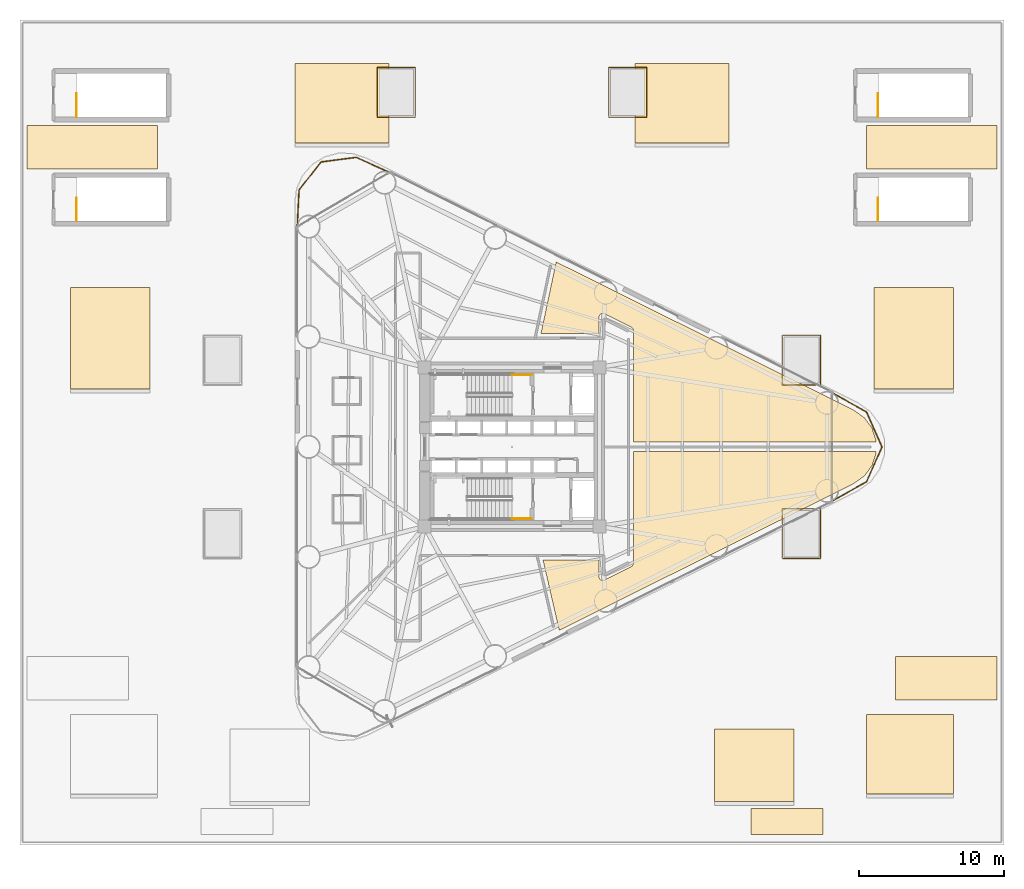
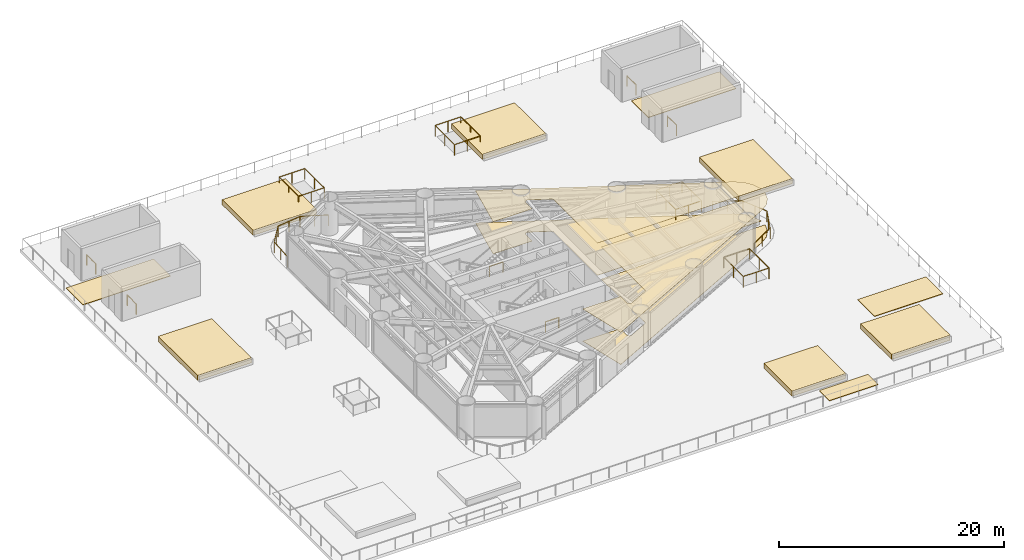
# One storey, part 13 of 13: 14 coverings, 12 railings.
"""IFC4 building model written with IfcOpenShell, lengths in metres."""

from ifc_helpers import new_model, si_unit, direction, frame, origin, origin_2d, place, context, subcontext, project, spatial, polyline, rectangle, outline, extrude, material, layer, layer_set, type_object, element, save


model = new_model("IFC4")

# Units and contexts
model_context = context("Model", 3, precision=1e-05, world=origin(), true_north=direction((0.0, 1.0)))
body_context = subcontext(model_context, "Body", "Model", "MODEL_VIEW")
ifc_project = project(units=[si_unit("LENGTHUNIT", "METRE"), si_unit("AREAUNIT", "SQUARE_METRE"), si_unit("VOLUMEUNIT", "CUBIC_METRE"), si_unit("PLANEANGLEUNIT", "RADIAN"), si_unit("MASSUNIT", "GRAM", prefix="KILO")], contexts=[model_context])

# Site, building, storey
site_placement = place(None, origin())
site = spatial("IfcSite", under=ifc_project, at=site_placement, CompositionType="ELEMENT")
building_placement = place(site_placement, origin())
building = spatial("IfcBuilding", under=site, at=building_placement, Name="Yunling Apex Tower", CompositionType="ELEMENT")
storey_placement = place(building_placement, frame((0.0, 0.0, 20.10009765625)))
storey = spatial("IfcBuildingStorey", under=building, at=storey_placement, Name="L06", CompositionType="ELEMENT", Elevation=20.10009765625)

# Coverings
ifc_material_1 = material(Name="Acoustic mineral fibre ceiling")
ifc_layer_1 = layer(ifc_material_1, 0.02490234375)
ifc_layer_set_1 = layer_set([ifc_layer_1], Name="Acoustic mineral fibre ceiling")
covering_type_1 = type_object("IfcCoveringType", Name="CV-CLG-1", PredefinedType="CEILING", material=ifc_layer_set_1)
covering_1_placement = place(storey_placement, frame((0.0, 0.0, 3.489990234375)))
element("IfcCovering", 1, at=covering_1_placement, inside=storey, type_object=covering_type_1, Name="CV-CL-SP-L06-R03", PredefinedType="CEILING", context=body_context, shape_type="SweptSolid", body=[
    extrude(outline(polyline([(25.160888671875, -0.330078125), (25.160888671875, -0.4453125), (24.88330078125, -1.291748046875), (24.35595703125, -2.009521484375), (23.59375, -2.5537109375), (3.26416015625, -12.672119140625), (2.146484375, -7.830078125), (6.02001953125, -7.830078125), (6.02001953125, -8.979248046875), (6.020751953125, -9.001708984375), (6.025146484375, -9.0263671875), (6.029541015625, -9.044921875), (6.037353515625, -9.06787109375), (6.048583984375, -9.09228515625), (6.060546875, -9.1123046875), (6.076416015625, -9.134521484375), (6.093017578125, -9.152099609375), (6.106689453125, -9.1650390625), (6.128173828125, -9.181884765625), (6.149658203125, -9.194580078125), (6.17041015625, -9.205078125), (6.1923828125, -9.213134765625), (6.2138671875, -9.219482421875), (6.239501953125, -9.22412109375), (6.265380859375, -9.225830078125), (6.291015625, -9.224853515625), (6.3125, -9.221923828125), (6.335205078125, -9.21728515625), (6.3603515625, -9.208984375), (6.377197265625, -9.201416015625), (8.24755859375, -8.2705078125), (8.262939453125, -8.26171875), (8.282958984375, -8.248046875), (8.304931640625, -8.22900390625), (8.320556640625, -8.211669921875), (8.335205078125, -8.193115234375), (8.349609375, -8.169921875), (8.36083984375, -8.146484375), (8.368896484375, -8.124267578125), (8.37548828125, -8.098876953125), (8.37890625, -8.07470703125), (8.3798828125, -8.056884765625), (8.3798828125, -0.330078125), (25.160888671875, -0.330078125)])), origin(), (0.0, 0.0, 1.0), 0.02490234375),
])
covering_2_placement = place(storey_placement, frame((0.0, 0.0, 3.489990234375)))
element("IfcCovering", 2, at=covering_2_placement, inside=storey, type_object=covering_type_1, Name="CV-CL-SP-L06-R04", PredefinedType="CEILING", context=body_context, shape_type="SweptSolid", body=[
    extrude(outline(polyline([(3.05322265625, 12.777099609375), (23.59375, 2.5537109375), (24.35595703125, 2.009521484375), (24.88330078125, 1.291748046875), (25.160888671875, 0.4453125), (25.160888671875, 0.330078125), (8.3798828125, 0.330078125), (8.3798828125, 8.056884765625), (8.37890625, 8.07470703125), (8.37548828125, 8.098876953125), (8.368896484375, 8.124267578125), (8.36083984375, 8.146484375), (8.349609375, 8.169921875), (8.335205078125, 8.193115234375), (8.320556640625, 8.211669921875), (8.304931640625, 8.22900390625), (8.282958984375, 8.248046875), (8.262939453125, 8.26171875), (8.24755859375, 8.2705078125), (6.377197265625, 9.201416015625), (6.3603515625, 9.208984375), (6.335205078125, 9.21728515625), (6.3125, 9.221923828125), (6.291015625, 9.224853515625), (6.265380859375, 9.225830078125), (6.239501953125, 9.22412109375), (6.2138671875, 9.219482421875), (6.1923828125, 9.213134765625), (6.17041015625, 9.205078125), (6.149658203125, 9.194580078125), (6.128173828125, 9.181884765625), (6.106689453125, 9.1650390625), (6.093017578125, 9.152099609375), (6.076416015625, 9.134521484375), (6.060546875, 9.1123046875), (6.048583984375, 9.09228515625), (6.037353515625, 9.06787109375), (6.029541015625, 9.044921875), (6.025146484375, 9.0263671875), (6.020751953125, 9.001708984375), (6.02001953125, 8.979248046875), (6.02001953125, 7.830078125), (2.001708984375, 7.830078125), (3.05322265625, 12.777099609375)])), origin(), (0.0, 0.0, 1.0), 0.02490234375),
])
ifc_material_2 = material(Name="Polished granite stone", Category="masonry")
ifc_layer_2 = layer(ifc_material_2, 0.030029296875)
ifc_layer_set_2 = layer_set([ifc_layer_2], Name="Polished granite stone")
covering_type_2 = type_object("IfcCoveringType", Name="CV-FLR-1", PredefinedType="FLOORING", material=ifc_layer_set_2)
covering_3_placement = place(storey_placement, origin())
element("IfcCovering", 3, at=covering_3_placement, inside=storey, type_object=covering_type_2, Name="CV-FL-SP-L06-R03", PredefinedType="FLOORING", context=body_context, shape_type="SweptSolid", body=[
    extrude(outline(polyline([(25.160888671875, -0.330078125), (25.160888671875, -0.4453125), (24.88330078125, -1.291748046875), (24.35595703125, -2.009521484375), (23.59375, -2.5537109375), (3.26416015625, -12.672119140625), (2.146484375, -7.830078125), (6.02001953125, -7.830078125), (6.02001953125, -8.979248046875), (6.020751953125, -9.001708984375), (6.025146484375, -9.0263671875), (6.029541015625, -9.044921875), (6.037353515625, -9.06787109375), (6.048583984375, -9.09228515625), (6.060546875, -9.1123046875), (6.076416015625, -9.134521484375), (6.093017578125, -9.152099609375), (6.106689453125, -9.1650390625), (6.128173828125, -9.181884765625), (6.149658203125, -9.194580078125), (6.17041015625, -9.205078125), (6.1923828125, -9.213134765625), (6.2138671875, -9.219482421875), (6.239501953125, -9.22412109375), (6.265380859375, -9.225830078125), (6.291015625, -9.224853515625), (6.3125, -9.221923828125), (6.335205078125, -9.21728515625), (6.3603515625, -9.208984375), (6.377197265625, -9.201416015625), (8.24755859375, -8.2705078125), (8.262939453125, -8.26171875), (8.282958984375, -8.248046875), (8.304931640625, -8.22900390625), (8.320556640625, -8.211669921875), (8.335205078125, -8.193115234375), (8.349609375, -8.169921875), (8.36083984375, -8.146484375), (8.368896484375, -8.124267578125), (8.37548828125, -8.098876953125), (8.37890625, -8.07470703125), (8.3798828125, -8.056884765625), (8.3798828125, -0.330078125), (25.160888671875, -0.330078125)])), origin(), (0.0, 0.0, 1.0), 0.02978515625),
])
covering_4_placement = place(storey_placement, origin())
element("IfcCovering", 4, at=covering_4_placement, inside=storey, type_object=covering_type_2, Name="CV-FL-SP-L06-R04", PredefinedType="FLOORING", context=body_context, shape_type="SweptSolid", body=[
    extrude(outline(polyline([(3.05322265625, 12.777099609375), (23.59375, 2.5537109375), (24.35595703125, 2.009521484375), (24.88330078125, 1.291748046875), (25.160888671875, 0.4453125), (25.160888671875, 0.330078125), (8.3798828125, 0.330078125), (8.3798828125, 8.056884765625), (8.37890625, 8.07470703125), (8.37548828125, 8.098876953125), (8.368896484375, 8.124267578125), (8.36083984375, 8.146484375), (8.349609375, 8.169921875), (8.335205078125, 8.193115234375), (8.320556640625, 8.211669921875), (8.304931640625, 8.22900390625), (8.282958984375, 8.248046875), (8.262939453125, 8.26171875), (8.24755859375, 8.2705078125), (6.377197265625, 9.201416015625), (6.3603515625, 9.208984375), (6.335205078125, 9.21728515625), (6.3125, 9.221923828125), (6.291015625, 9.224853515625), (6.265380859375, 9.225830078125), (6.239501953125, 9.22412109375), (6.2138671875, 9.219482421875), (6.1923828125, 9.213134765625), (6.17041015625, 9.205078125), (6.149658203125, 9.194580078125), (6.128173828125, 9.181884765625), (6.106689453125, 9.1650390625), (6.093017578125, 9.152099609375), (6.076416015625, 9.134521484375), (6.060546875, 9.1123046875), (6.048583984375, 9.09228515625), (6.037353515625, 9.06787109375), (6.029541015625, 9.044921875), (6.025146484375, 9.0263671875), (6.020751953125, 9.001708984375), (6.02001953125, 8.979248046875), (6.02001953125, 7.830078125), (2.001708984375, 7.830078125), (3.05322265625, 12.777099609375)])), origin(), (0.0, 0.0, 1.0), 0.02978515625),
])
ifc_material_3 = material(Name="Vegetated roof soil substrate")
ifc_layer_3 = layer(ifc_material_3, 0.550048828125)
ifc_layer_set_3 = layer_set([ifc_layer_3], Name="Vegetated roof soil substrate")
covering_type_3 = type_object("IfcCoveringType", Name="CV-PLN-1", PredefinedType="FLOORING", material=ifc_layer_set_3)
covering_5_placement = place(storey_placement, origin())
element("IfcCovering", 5, at=covering_5_placement, inside=storey, type_object=covering_type_3, Name="CV-PLN-BED-02", PredefinedType="FLOORING", context=body_context, shape_type="SweptSolid", body=[
    extrude(outline(polyline([(24.5, -24.0), (30.5, -24.0), (30.5, -18.5), (24.5, -18.5), (24.5, -24.0)])), origin(), (0.0, 0.0, 1.0), 0.5498046875),
])
covering_6_placement = place(storey_placement, origin())
element("IfcCovering", 6, at=covering_6_placement, inside=storey, type_object=covering_type_3, Name="CV-PLN-BED-03", PredefinedType="FLOORING", context=body_context, shape_type="SweptSolid", body=[
    extrude(outline(polyline([(-30.5, 4.0), (-25.0, 4.0), (-25.0, 11.0), (-30.5, 11.0), (-30.5, 4.0)])), origin(), (0.0, 0.0, 1.0), 0.5498046875),
])
covering_7_placement = place(storey_placement, origin())
element("IfcCovering", 7, at=covering_7_placement, inside=storey, type_object=covering_type_3, Name="CV-PLN-BED-04", PredefinedType="FLOORING", context=body_context, shape_type="SweptSolid", body=[
    extrude(outline(polyline([(25.0, 4.0), (30.5, 4.0), (30.5, 11.0), (25.0, 11.0), (25.0, 4.0)])), origin(), (0.0, 0.0, 1.0), 0.5498046875),
])
covering_8_placement = place(storey_placement, origin())
element("IfcCovering", 8, at=covering_8_placement, inside=storey, type_object=covering_type_3, Name="CV-PLN-BED-06", PredefinedType="FLOORING", context=body_context, shape_type="SweptSolid", body=[
    extrude(outline(polyline([(14.0, -24.5), (19.5, -24.5), (19.5, -19.5), (14.0, -19.5), (14.0, -24.5)])), origin(), (0.0, 0.0, 1.0), 0.5498046875),
])
covering_9_placement = place(storey_placement, origin())
element("IfcCovering", 9, at=covering_9_placement, inside=storey, type_object=covering_type_3, Name="CV-PLN-BED-07", PredefinedType="FLOORING", context=body_context, shape_type="SweptSolid", body=[
    extrude(outline(polyline([(-15.0, 21.0), (-8.5, 21.0), (-8.5, 26.5), (-15.0, 26.5), (-15.0, 21.0)])), origin(), (0.0, 0.0, 1.0), 0.5498046875),
])
covering_10_placement = place(storey_placement, origin())
element("IfcCovering", 10, at=covering_10_placement, inside=storey, type_object=covering_type_3, Name="CV-PLN-BED-08", PredefinedType="FLOORING", context=body_context, shape_type="SweptSolid", body=[
    extrude(outline(polyline([(8.5, 21.0), (15.0, 21.0), (15.0, 26.5), (8.5, 26.5), (8.5, 21.0)])), origin(), (0.0, 0.0, 1.0), 0.5498046875),
])
ifc_material_4 = material(Name="Waterproof EPDM roof membrane")
ifc_layer_4 = layer(ifc_material_4, 0.06005859375)
ifc_layer_set_4 = layer_set([ifc_layer_4], Name="Waterproof EPDM roof membrane")
covering_type_4 = type_object("IfcCoveringType", Name="CV-ROF-1", PredefinedType="ROOFING", material=ifc_layer_set_4)
covering_11_placement = place(storey_placement, origin())
element("IfcCovering", 11, at=covering_11_placement, inside=storey, type_object=covering_type_4, Name="CV-ROF-POD-1", PredefinedType="ROOFING", context=body_context, shape_type="SweptSolid", body=[
    extrude(outline(polyline([(-33.5, 19.199951171875), (-24.5, 19.199951171875), (-24.5, 22.199951171875), (-33.5, 22.199951171875), (-33.5, 19.199951171875)])), origin(), (0.0, 0.0, 1.0), 0.059814453125),
])
covering_12_placement = place(storey_placement, origin())
element("IfcCovering", 12, at=covering_12_placement, inside=storey, type_object=covering_type_4, Name="CV-ROF-POD-2", PredefinedType="ROOFING", context=body_context, shape_type="SweptSolid", body=[
    extrude(outline(polyline([(24.5, 19.199951171875), (33.5, 19.199951171875), (33.5, 22.199951171875), (24.5, 22.199951171875), (24.5, 19.199951171875)])), origin(), (0.0, 0.0, 1.0), 0.059814453125),
])
covering_13_placement = place(storey_placement, origin())
element("IfcCovering", 13, at=covering_13_placement, inside=storey, type_object=covering_type_4, Name="CV-ROF-POD-4", PredefinedType="ROOFING", context=body_context, shape_type="SweptSolid", body=[
    extrude(outline(polyline([(26.5, -17.5), (33.5, -17.5), (33.5, -14.5), (26.5, -14.5), (26.5, -17.5)])), origin(), (0.0, 0.0, 1.0), 0.059814453125),
])
covering_14_placement = place(storey_placement, origin())
element("IfcCovering", 14, at=covering_14_placement, inside=storey, type_object=covering_type_4, Name="CV-ROF-POD-6", PredefinedType="ROOFING", context=body_context, shape_type="SweptSolid", body=[
    extrude(outline(polyline([(16.5, -26.800048828125), (21.5, -26.800048828125), (21.5, -25.0), (16.5, -25.0), (16.5, -26.800048828125)])), origin(), (0.0, 0.0, 1.0), 0.059814453125),
])

# Railings
ifc_material_5 = material(Name="Bronze anodised aluminium", Category="aluminium")
railing_type_1 = type_object("IfcRailingType", Name="RL-BAL-1200", PredefinedType="BALUSTRADE", material=ifc_material_5)
railing_1_placement = place(storey_placement, frame((18.679931640625, -7.719970703125, 0.0)))
element("IfcRailing", 15, at=railing_1_placement, inside=storey, type_object=railing_type_1, Name="RL-SK-POD-02", PredefinedType="BALUSTRADE", context=body_context, shape_type="SweptSolid", body=[
    extrude(rectangle(XDim=0.0439453125, YDim=0.0439453125, at=origin_2d()), origin(), (0.0, 0.0, 1.0), 1.199951171875),
    extrude(rectangle(XDim=0.0439453125, YDim=0.0439453125, at=origin_2d()), frame((2.64013671875, 0.0, 0.0)), (0.0, 0.0, 1.0), 1.199951171875),
    extrude(rectangle(XDim=0.050048828125, YDim=0.050048828125, at=origin_2d()), frame((0.038330078125, 0.0, 1.1748046875), z_axis=(1.0, 0.0, 0.0), x_axis=(0.0, 1.0, 0.0)), (0.0, 0.0, 1.0), 2.5634765625),
    extrude(rectangle(XDim=0.0439453125, YDim=0.0439453125, at=origin_2d()), frame((1.320068359375, 0.0, 0.0)), (0.0, 0.0, 1.0), 1.14599609375),
    extrude(rectangle(XDim=0.0439453125, YDim=0.0439453125, at=origin_2d()), frame((2.64013671875, 3.43994140625, 0.0)), (0.0, 0.0, 1.0), 1.199951171875),
    extrude(rectangle(XDim=0.050048828125, YDim=0.050048828125, at=origin_2d()), frame((2.64013671875, 0.038330078125, 1.1748046875), z_axis=(0.0, 1.0, 0.0), x_axis=(-1.0, 0.0, 0.0)), (0.0, 0.0, 1.0), 3.36328125),
    extrude(rectangle(XDim=0.0439453125, YDim=0.0439453125, at=origin_2d()), frame((2.64013671875, 1.719970703125, 0.0)), (0.0, 0.0, 1.0), 1.14599609375),
    extrude(rectangle(XDim=0.0439453125, YDim=0.0439453125, at=origin_2d()), frame((0.0, 3.43994140625, 0.0)), (0.0, 0.0, 1.0), 1.199951171875),
    extrude(rectangle(XDim=0.050048828125, YDim=0.050048828125, at=origin_2d()), frame((2.601806640625, 3.43994140625, 1.1748046875), z_axis=(-1.0, 0.0, 0.0), x_axis=(0.0, -1.0, 0.0)), (0.0, 0.0, 1.0), 2.5634765625),
    extrude(rectangle(XDim=0.0439453125, YDim=0.0439453125, at=origin_2d()), frame((1.320068359375, 3.43994140625, 0.0)), (0.0, 0.0, 1.0), 1.14599609375),
    extrude(rectangle(XDim=0.050048828125, YDim=0.050048828125, at=origin_2d()), frame((0.0, 3.401611328125, 1.1748046875), z_axis=(0.0, -1.0, 0.0), x_axis=(1.0, 0.0, 0.0)), (0.0, 0.0, 1.0), 3.36328125),
    extrude(rectangle(XDim=0.0439453125, YDim=0.0439453125, at=origin_2d()), frame((0.0, 1.719970703125, 0.0)), (0.0, 0.0, 1.0), 1.14599609375),
])
railing_2_placement = place(storey_placement, frame((18.679931640625, 4.280029296875, 0.0)))
element("IfcRailing", 16, at=railing_2_placement, inside=storey, type_object=railing_type_1, Name="RL-SK-POD-04", PredefinedType="BALUSTRADE", context=body_context, shape_type="SweptSolid", body=[
    extrude(rectangle(XDim=0.0439453125, YDim=0.0439453125, at=origin_2d()), origin(), (0.0, 0.0, 1.0), 1.199951171875),
    extrude(rectangle(XDim=0.0439453125, YDim=0.0439453125, at=origin_2d()), frame((2.64013671875, 0.0, 0.0)), (0.0, 0.0, 1.0), 1.199951171875),
    extrude(rectangle(XDim=0.050048828125, YDim=0.050048828125, at=origin_2d()), frame((0.038330078125, 0.0, 1.1748046875), z_axis=(1.0, 0.0, 0.0), x_axis=(0.0, 1.0, 0.0)), (0.0, 0.0, 1.0), 2.5634765625),
    extrude(rectangle(XDim=0.0439453125, YDim=0.0439453125, at=origin_2d()), frame((1.320068359375, 0.0, 0.0)), (0.0, 0.0, 1.0), 1.14599609375),
    extrude(rectangle(XDim=0.0439453125, YDim=0.0439453125, at=origin_2d()), frame((2.64013671875, 3.43994140625, 0.0)), (0.0, 0.0, 1.0), 1.199951171875),
    extrude(rectangle(XDim=0.050048828125, YDim=0.050048828125, at=origin_2d()), frame((2.64013671875, 0.038330078125, 1.1748046875), z_axis=(0.0, 1.0, 0.0), x_axis=(-1.0, 0.0, 0.0)), (0.0, 0.0, 1.0), 3.36328125),
    extrude(rectangle(XDim=0.0439453125, YDim=0.0439453125, at=origin_2d()), frame((2.64013671875, 1.719970703125, 0.0)), (0.0, 0.0, 1.0), 1.14599609375),
    extrude(rectangle(XDim=0.0439453125, YDim=0.0439453125, at=origin_2d()), frame((0.0, 3.43994140625, 0.0)), (0.0, 0.0, 1.0), 1.199951171875),
    extrude(rectangle(XDim=0.050048828125, YDim=0.050048828125, at=origin_2d()), frame((2.601806640625, 3.43994140625, 1.1748046875), z_axis=(-1.0, 0.0, 0.0), x_axis=(0.0, -1.0, 0.0)), (0.0, 0.0, 1.0), 2.5634765625),
    extrude(rectangle(XDim=0.0439453125, YDim=0.0439453125, at=origin_2d()), frame((1.320068359375, 3.43994140625, 0.0)), (0.0, 0.0, 1.0), 1.14599609375),
    extrude(rectangle(XDim=0.050048828125, YDim=0.050048828125, at=origin_2d()), frame((0.0, 3.401611328125, 1.1748046875), z_axis=(0.0, -1.0, 0.0), x_axis=(1.0, 0.0, 0.0)), (0.0, 0.0, 1.0), 3.36328125),
    extrude(rectangle(XDim=0.0439453125, YDim=0.0439453125, at=origin_2d()), frame((0.0, 1.719970703125, 0.0)), (0.0, 0.0, 1.0), 1.14599609375),
])
railing_3_placement = place(storey_placement, frame((-9.320068359375, 22.780029296875, 0.0)))
element("IfcRailing", 17, at=railing_3_placement, inside=storey, type_object=railing_type_1, Name="RL-SK-POD-05", PredefinedType="BALUSTRADE", context=body_context, shape_type="SweptSolid", body=[
    extrude(rectangle(XDim=0.0439453125, YDim=0.0439453125, at=origin_2d()), origin(), (0.0, 0.0, 1.0), 1.199951171875),
    extrude(rectangle(XDim=0.0439453125, YDim=0.0439453125, at=origin_2d()), frame((2.64013671875, 0.0, 0.0)), (0.0, 0.0, 1.0), 1.199951171875),
    extrude(rectangle(XDim=0.050048828125, YDim=0.050048828125, at=origin_2d()), frame((0.038330078125, 0.0, 1.1748046875), z_axis=(1.0, 0.0, 0.0), x_axis=(0.0, 1.0, 0.0)), (0.0, 0.0, 1.0), 2.5634765625),
    extrude(rectangle(XDim=0.0439453125, YDim=0.0439453125, at=origin_2d()), frame((1.320068359375, 0.0, 0.0)), (0.0, 0.0, 1.0), 1.14599609375),
    extrude(rectangle(XDim=0.0439453125, YDim=0.0439453125, at=origin_2d()), frame((2.64013671875, 3.43994140625, 0.0)), (0.0, 0.0, 1.0), 1.199951171875),
    extrude(rectangle(XDim=0.050048828125, YDim=0.050048828125, at=origin_2d()), frame((2.64013671875, 0.038330078125, 1.1748046875), z_axis=(0.0, 1.0, 0.0), x_axis=(-1.0, 0.0, 0.0)), (0.0, 0.0, 1.0), 3.36328125),
    extrude(rectangle(XDim=0.0439453125, YDim=0.0439453125, at=origin_2d()), frame((2.64013671875, 1.719970703125, 0.0)), (0.0, 0.0, 1.0), 1.14599609375),
    extrude(rectangle(XDim=0.0439453125, YDim=0.0439453125, at=origin_2d()), frame((0.0, 3.43994140625, 0.0)), (0.0, 0.0, 1.0), 1.199951171875),
    extrude(rectangle(XDim=0.050048828125, YDim=0.050048828125, at=origin_2d()), frame((2.601806640625, 3.43994140625, 1.1748046875), z_axis=(-1.0, 0.0, 0.0), x_axis=(0.0, -1.0, 0.0)), (0.0, 0.0, 1.0), 2.5634765625),
    extrude(rectangle(XDim=0.0439453125, YDim=0.0439453125, at=origin_2d()), frame((1.320068359375, 3.43994140625, 0.0)), (0.0, 0.0, 1.0), 1.14599609375),
    extrude(rectangle(XDim=0.050048828125, YDim=0.050048828125, at=origin_2d()), frame((0.0, 3.401611328125, 1.1748046875), z_axis=(0.0, -1.0, 0.0), x_axis=(1.0, 0.0, 0.0)), (0.0, 0.0, 1.0), 3.36328125),
    extrude(rectangle(XDim=0.0439453125, YDim=0.0439453125, at=origin_2d()), frame((0.0, 1.719970703125, 0.0)), (0.0, 0.0, 1.0), 1.14599609375),
])
railing_4_placement = place(storey_placement, frame((6.679931640625, 22.780029296875, 0.0)))
element("IfcRailing", 18, at=railing_4_placement, inside=storey, type_object=railing_type_1, Name="RL-SK-POD-06", PredefinedType="BALUSTRADE", context=body_context, shape_type="SweptSolid", body=[
    extrude(rectangle(XDim=0.0439453125, YDim=0.0439453125, at=origin_2d()), origin(), (0.0, 0.0, 1.0), 1.199951171875),
    extrude(rectangle(XDim=0.0439453125, YDim=0.0439453125, at=origin_2d()), frame((2.64013671875, 0.0, 0.0)), (0.0, 0.0, 1.0), 1.199951171875),
    extrude(rectangle(XDim=0.050048828125, YDim=0.050048828125, at=origin_2d()), frame((0.038330078125, 0.0, 1.1748046875), z_axis=(1.0, 0.0, 0.0), x_axis=(0.0, 1.0, 0.0)), (0.0, 0.0, 1.0), 2.5634765625),
    extrude(rectangle(XDim=0.0439453125, YDim=0.0439453125, at=origin_2d()), frame((1.320068359375, 0.0, 0.0)), (0.0, 0.0, 1.0), 1.14599609375),
    extrude(rectangle(XDim=0.0439453125, YDim=0.0439453125, at=origin_2d()), frame((2.64013671875, 3.43994140625, 0.0)), (0.0, 0.0, 1.0), 1.199951171875),
    extrude(rectangle(XDim=0.050048828125, YDim=0.050048828125, at=origin_2d()), frame((2.64013671875, 0.038330078125, 1.1748046875), z_axis=(0.0, 1.0, 0.0), x_axis=(-1.0, 0.0, 0.0)), (0.0, 0.0, 1.0), 3.36328125),
    extrude(rectangle(XDim=0.0439453125, YDim=0.0439453125, at=origin_2d()), frame((2.64013671875, 1.719970703125, 0.0)), (0.0, 0.0, 1.0), 1.14599609375),
    extrude(rectangle(XDim=0.0439453125, YDim=0.0439453125, at=origin_2d()), frame((0.0, 3.43994140625, 0.0)), (0.0, 0.0, 1.0), 1.199951171875),
    extrude(rectangle(XDim=0.050048828125, YDim=0.050048828125, at=origin_2d()), frame((2.601806640625, 3.43994140625, 1.1748046875), z_axis=(-1.0, 0.0, 0.0), x_axis=(0.0, -1.0, 0.0)), (0.0, 0.0, 1.0), 2.5634765625),
    extrude(rectangle(XDim=0.0439453125, YDim=0.0439453125, at=origin_2d()), frame((1.320068359375, 3.43994140625, 0.0)), (0.0, 0.0, 1.0), 1.14599609375),
    extrude(rectangle(XDim=0.050048828125, YDim=0.050048828125, at=origin_2d()), frame((0.0, 3.401611328125, 1.1748046875), z_axis=(0.0, -1.0, 0.0), x_axis=(1.0, 0.0, 0.0)), (0.0, 0.0, 1.0), 3.36328125),
    extrude(rectangle(XDim=0.0439453125, YDim=0.0439453125, at=origin_2d()), frame((0.0, 1.719970703125, 0.0)), (0.0, 0.0, 1.0), 1.14599609375),
])
railing_5_placement = place(storey_placement, frame((22.1181640625, 3.74609375, 0.0)))
element("IfcRailing", 19, at=railing_5_placement, inside=storey, type_object=railing_type_1, Name="RL-CRNSILL-L06-1", PredefinedType="BALUSTRADE", context=body_context, shape_type="SweptSolid", body=[
    extrude(rectangle(XDim=0.0439453125, YDim=0.0439453125, at=origin_2d()), origin(), (0.0, 0.0, 1.0), 1.199951171875),
    extrude(rectangle(XDim=0.0439453125, YDim=0.0439453125, at=origin_2d()), frame((2.380615234375, -1.3349609375, 0.0)), (0.0, 0.0, 1.0), 1.199951171875),
    extrude(rectangle(XDim=0.050048828125, YDim=0.050048828125, at=origin_2d()), frame((0.033447265625, -0.018798828125, 1.1748046875), z_axis=(0.872222158118, -0.48910991289, 0.0), x_axis=(0.48910991289, 0.872222158118, 0.0)), (0.0, 0.0, 1.0), 2.652587890625),
    extrude(rectangle(XDim=0.0439453125, YDim=0.0439453125, at=origin_2d()), frame((1.1904296875, -0.66748046875, 0.0)), (0.0, 0.0, 1.0), 1.14599609375),
    extrude(rectangle(XDim=0.0439453125, YDim=0.0439453125, at=origin_2d()), frame((3.45263671875, -3.74609375, 0.0)), (0.0, 0.0, 1.0), 1.199951171875),
    extrude(rectangle(XDim=0.050048828125, YDim=0.050048828125, at=origin_2d()), frame((2.396240234375, -1.369873046875, 1.1748046875), z_axis=(0.406267230745, -0.913754309004, 0.0), x_axis=(0.913754309004, 0.406267230745, 0.0)), (0.0, 0.0, 1.0), 2.56201171875),
    extrude(rectangle(XDim=0.0439453125, YDim=0.0439453125, at=origin_2d()), frame((2.91650390625, -2.54052734375, 0.0)), (0.0, 0.0, 1.0), 1.14599609375),
    extrude(rectangle(XDim=0.0439453125, YDim=0.0439453125, at=origin_2d()), frame((2.380615234375, -6.1572265625, 0.0)), (0.0, 0.0, 1.0), 1.199951171875),
    extrude(rectangle(XDim=0.050048828125, YDim=0.050048828125, at=origin_2d()), frame((3.43701171875, -3.781005859375, 1.1748046875), z_axis=(-0.406267230745, -0.913754309004, 0.0), x_axis=(0.913754309004, -0.406267230745, 0.0)), (0.0, 0.0, 1.0), 2.56201171875),
    extrude(rectangle(XDim=0.0439453125, YDim=0.0439453125, at=origin_2d()), frame((2.91650390625, -4.95166015625, 0.0)), (0.0, 0.0, 1.0), 1.14599609375),
    extrude(rectangle(XDim=0.0439453125, YDim=0.0439453125, at=origin_2d()), frame((0.0, -7.4921875, 0.0)), (0.0, 0.0, 1.0), 1.199951171875),
    extrude(rectangle(XDim=0.050048828125, YDim=0.050048828125, at=origin_2d()), frame((2.34716796875, -6.176025390625, 1.1748046875), z_axis=(-0.872222158118, -0.48910991289, 0.0), x_axis=(0.48910991289, -0.872222158118, 0.0)), (0.0, 0.0, 1.0), 2.652587890625),
    extrude(rectangle(XDim=0.0439453125, YDim=0.0439453125, at=origin_2d()), frame((1.1904296875, -6.82470703125, 0.0)), (0.0, 0.0, 1.0), 1.14599609375),
])
railing_6_placement = place(storey_placement, frame((-14.842041015625, 15.218994140625, 0.0)))
element("IfcRailing", 20, at=railing_6_placement, inside=storey, type_object=railing_type_1, Name="RL-CRNSILL-L06-2", PredefinedType="BALUSTRADE", context=body_context, shape_type="SweptSolid", body=[
    extrude(rectangle(XDim=0.0439453125, YDim=0.0439453125, at=origin_2d()), origin(), (0.0, 0.0, 1.0), 1.199951171875),
    extrude(rectangle(XDim=0.0439453125, YDim=0.0439453125, at=origin_2d()), frame((0.1240234375, 2.52783203125, 0.0)), (0.0, 0.0, 1.0), 1.199951171875),
    extrude(rectangle(XDim=0.050048828125, YDim=0.050048828125, at=origin_2d()), frame((0.001953125, 0.038330078125, 1.1748046875), z_axis=(0.049004218115, 0.998798571588, 0.0), x_axis=(-0.998798571588, 0.049004218115, 0.0)), (0.0, 0.0, 1.0), 2.4541015625),
    extrude(rectangle(XDim=0.0439453125, YDim=0.0439453125, at=origin_2d()), frame((0.06201171875, 1.263916015625, 0.0)), (0.0, 0.0, 1.0), 1.14599609375),
    extrude(rectangle(XDim=0.0439453125, YDim=0.0439453125, at=origin_2d()), frame((1.640625, 4.469482421875, 0.0)), (0.0, 0.0, 1.0), 1.199951171875),
    extrude(rectangle(XDim=0.050048828125, YDim=0.050048828125, at=origin_2d()), frame((0.147705078125, 2.55810546875, 1.1748046875), z_axis=(0.615565197226, 0.788085964832, 0.0), x_axis=(-0.788085964832, 0.615565197226, 0.0)), (0.0, 0.0, 1.0), 2.38720703125),
    extrude(rectangle(XDim=0.0439453125, YDim=0.0439453125, at=origin_2d()), frame((0.88232421875, 3.49853515625, 0.0)), (0.0, 0.0, 1.0), 1.14599609375),
    extrude(rectangle(XDim=0.0439453125, YDim=0.0439453125, at=origin_2d()), frame((4.075439453125, 4.7890625, 0.0)), (0.0, 0.0, 1.0), 1.199951171875),
    extrude(rectangle(XDim=0.050048828125, YDim=0.050048828125, at=origin_2d()), frame((1.6787109375, 4.474365234375, 1.1748046875), z_axis=(0.991495866646, 0.130138182035, 0.0), x_axis=(-0.130138182035, 0.991495866646, 0.0)), (0.0, 0.0, 1.0), 2.379150390625),
    extrude(rectangle(XDim=0.0439453125, YDim=0.0439453125, at=origin_2d()), frame((2.85791015625, 4.62939453125, 0.0)), (0.0, 0.0, 1.0), 1.14599609375),
    extrude(rectangle(XDim=0.0439453125, YDim=0.0439453125, at=origin_2d()), frame((6.382568359375, 3.74609375, 0.0)), (0.0, 0.0, 1.0), 1.199951171875),
    extrude(rectangle(XDim=0.050048828125, YDim=0.050048828125, at=origin_2d()), frame((4.1103515625, 4.773193359375, 1.1748046875), z_axis=(0.911216522497, -0.411927723186, 0.0), x_axis=(0.411927723186, 0.911216522497, 0.0)), (0.0, 0.0, 1.0), 2.455322265625),
    extrude(rectangle(XDim=0.0439453125, YDim=0.0439453125, at=origin_2d()), frame((5.22900390625, 4.267578125, 0.0)), (0.0, 0.0, 1.0), 1.14599609375),
])
ifc_material_6 = material(Name="Steel Q355B", Category="steel")
railing_type_2 = type_object("IfcRailingType", Name="RL-GRD-1150", PredefinedType="GUARDRAIL", material=ifc_material_6)
for number, where, name in (
    (21, (1.35009765625, 4.9599609375, 0.0), "L06 ST-1 stair guard 6"),
    (22, (1.35009765625, -4.9599609375, 0.0), "L06 ST-2 stair guard 6"),
):
    element("IfcRailing", number, at=place(storey_placement, frame(where)), inside=storey, type_object=railing_type_2, Name=name, PredefinedType="GUARDRAIL", context=body_context, shape_type="SweptSolid", body=[
        extrude(rectangle(XDim=0.0439453125, YDim=0.0439453125, at=origin_2d()), origin(), (0.0, 0.0, 1.0), 1.14990234375),
        extrude(rectangle(XDim=0.0439453125, YDim=0.0439453125, at=origin_2d()), frame((-1.360107421875, 0.0, 0.0)), (0.0, 0.0, 1.0), 1.14990234375),
        extrude(rectangle(XDim=0.050048828125, YDim=0.050048828125, at=origin_2d()), frame((-0.038330078125, 0.0, 1.125), z_axis=(-1.0, 0.0, 0.0), x_axis=(0.0, -1.0, 0.0)), (0.0, 0.0, 1.0), 1.283447265625),
    ])
for number, where, name in (
    (23, (-30.10009765625, 15.60009765625, 0.0), "L06 ST-P1 top well guard 1"),
    (24, (25.300048828125, 15.60009765625, 0.0), "L06 ST-P2 top well guard 1"),
    (25, (-30.10009765625, 22.800048828125, 0.0), "L06 ST-G1 top well guard 1"),
    (26, (25.300048828125, 22.800048828125, 0.0), "L06 ST-G2 top well guard 1"),
):
    element("IfcRailing", number, at=place(storey_placement, frame(where)), inside=storey, type_object=railing_type_2, Name=name, PredefinedType="GUARDRAIL", context=body_context, shape_type="SweptSolid", body=[
        extrude(rectangle(XDim=0.0439453125, YDim=0.0439453125, at=origin_2d()), origin(), (0.0, 0.0, 1.0), 1.14990234375),
        extrude(rectangle(XDim=0.0439453125, YDim=0.0439453125, at=origin_2d()), frame((0.0, 1.599853515625, 0.0)), (0.0, 0.0, 1.0), 1.14990234375),
        extrude(rectangle(XDim=0.050048828125, YDim=0.050048828125, at=origin_2d()), frame((0.0, 0.038330078125, 1.125), z_axis=(0.0, 1.0, 0.0), x_axis=(-1.0, 0.0, 0.0)), (0.0, 0.0, 1.0), 1.523193359375),
    ])

save(model, "model.ifc")
